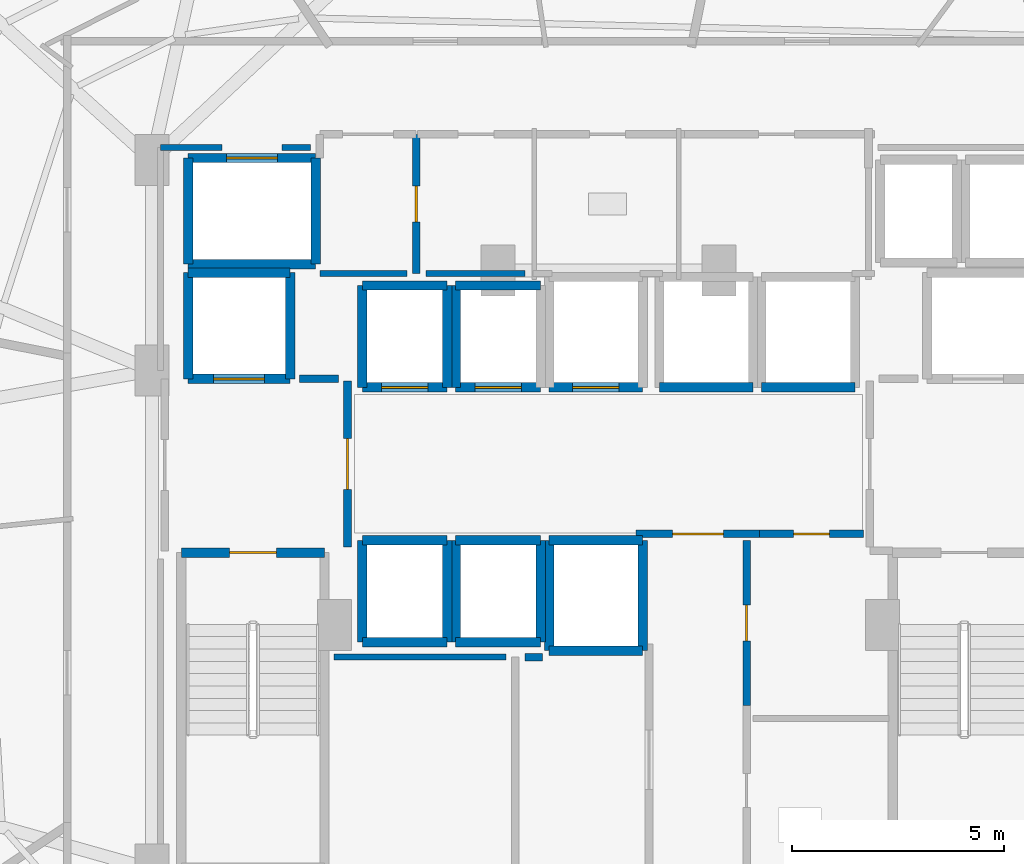
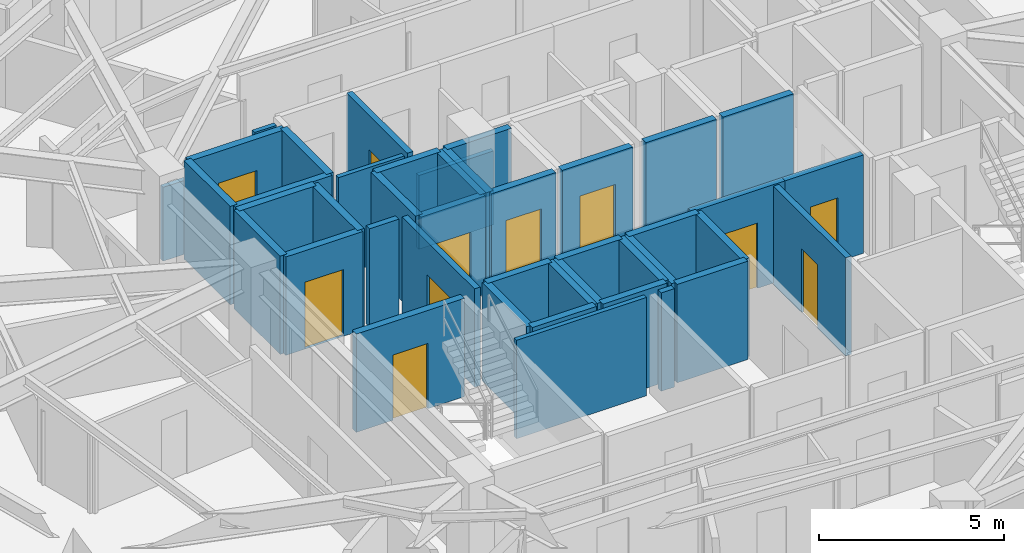
# One storey, part 24 of 30: 43 walls, 11 doors, 11 openings.
"""IFC4 building model written with IfcOpenShell, lengths in metres."""

from ifc_helpers import new_model, si_unit, direction, frame, frame_2d, origin, place, context, subcontext, project, spatial, rectangle, extrude, material, layer, layer_set, type_object, element, fill, save


model = new_model("IFC4")

# Units and contexts
model_context = context("Model", 3, precision=1e-05, world=origin(), true_north=direction((0.0, 1.0)))
body_context = subcontext(model_context, "Body", "Model", "MODEL_VIEW")
ifc_project = project(units=[si_unit("LENGTHUNIT", "METRE"), si_unit("AREAUNIT", "SQUARE_METRE"), si_unit("VOLUMEUNIT", "CUBIC_METRE"), si_unit("PLANEANGLEUNIT", "RADIAN"), si_unit("MASSUNIT", "GRAM", prefix="KILO")], contexts=[model_context])

# Site, building, storey
site_placement = place(None, origin())
site = spatial("IfcSite", under=ifc_project, at=site_placement, CompositionType="ELEMENT")
building_placement = place(site_placement, origin())
building = spatial("IfcBuilding", under=site, at=building_placement, Name="Vorneva Point Tower", CompositionType="ELEMENT")
storey_placement = place(building_placement, frame((0.0, 0.0, 78.800048828125)))
storey = spatial("IfcBuildingStorey", under=building, at=storey_placement, Name="L20", CompositionType="ELEMENT", Elevation=78.800048828125)

# Wall, opening, door
ifc_material_1 = material(Name="Concrete B60 (C50/60)", Category="concrete")
ifc_layer_1 = layer(ifc_material_1, 0.5)
ifc_layer_set_1 = layer_set([ifc_layer_1], Name="Concrete B60 (C50/60)")
wall_type_1 = type_object("IfcWallType", Name="WL-CORE-500", PredefinedType="SHEAR", material=ifc_layer_set_1)
wall_1_placement = place(storey_placement, frame((28.10009765625, 28.0, 0.0), z_axis=(0.0, 0.0, 1.0), x_axis=(1.0, 0.0, 0.0)))
wall_1 = element("IfcWall", 1, at=wall_1_placement, inside=storey, type_object=wall_type_1, Name="L20 Lift FFL1 Shaft Wall -Y", PredefinedType="SHEAR", context=body_context, shape_type="SweptSolid", body=[
    extrude(rectangle(XDim=2.39990234375, YDim=0.219970703125, at=frame_2d((1.199951171875, 0.0))), origin(), (0.0, 0.0, 1.0), 3.239990234375),
])
opening_1_placement = place(wall_1_placement, frame((0.60009765625, 0.0, 0.0)))
opening_1 = element("IfcOpeningElement", 2, at=opening_1_placement, cuts=wall_1, Name="Opening LD-02", PredefinedType="OPENING", context=body_context, shape_type="SweptSolid", body=[
    extrude(rectangle(XDim=1.199951171875, YDim=2.199951171875, at=frame_2d((0.60009765625, 1.10009765625))), frame((0.0, 0.125, 0.0), z_axis=(0.0, -1.0, 0.0), x_axis=(1.0, 0.0, 0.0)), (0.0, 0.0, 1.0), 0.249755859375),
])
ifc_material_2 = material(Name="Brushed stainless steel S304", Category="steel")
door_type_1 = type_object("IfcDoorType", Name="LD-FIRE-1200", OperationType="SLIDING_TO_LEFT", PredefinedType="DOOR", material=ifc_material_2)
door_1_placement = place(opening_1_placement, origin())
door_1 = element("IfcDoor", 3, at=door_1_placement, inside=storey, type_object=door_type_1, Name="L20 Lift FFL1 Sliding Landing Door", OperationType="SLIDING_TO_LEFT", OverallHeight=2.199951171875, OverallWidth=1.199951171875, PredefinedType="DOOR", context=body_context, shape_type="SweptSolid", body=[
    extrude(rectangle(XDim=1.199951171875, YDim=2.199951171875, at=frame_2d((0.60009765625, 1.10009765625))), frame((0.0, 0.02490234375, 0.0), z_axis=(0.0, -1.0, 0.0), x_axis=(1.0, 0.0, 0.0)), (0.0, 0.0, 1.0), 0.050048828125),
])
fill(opening_1, door_1)

# Walls
wall_2_placement = place(storey_placement, frame((30.5, 28.0, 0.0), z_axis=(0.0, 0.0, 1.0), x_axis=(0.0, 1.0, 0.0)))
element("IfcWall", 4, at=wall_2_placement, inside=storey, type_object=wall_type_1, Name="L20 Lift FFL1 Shaft Wall +X", PredefinedType="SHEAR", context=body_context, shape_type="SweptSolid", body=[
    extrude(rectangle(XDim=2.5, YDim=0.219970703125, at=frame_2d((1.25, 0.0))), origin(), (0.0, 0.0, 1.0), 3.239990234375),
])
wall_3_placement = place(storey_placement, frame((30.5, 30.5, 0.0), z_axis=(0.0, 0.0, 1.0), x_axis=(-1.0, 0.0, 0.0)))
element("IfcWall", 5, at=wall_3_placement, inside=storey, type_object=wall_type_1, Name="L20 Lift FFL1 Shaft Wall +Y", PredefinedType="SHEAR", context=body_context, shape_type="SweptSolid", body=[
    extrude(rectangle(XDim=2.39990234375, YDim=0.219970703125, at=frame_2d((1.199951171875, 0.0))), origin(), (0.0, 0.0, 1.0), 3.239990234375),
])
wall_4_placement = place(storey_placement, frame((28.10009765625, 30.5, 0.0), z_axis=(0.0, 0.0, 1.0), x_axis=(0.0, -1.0, 0.0)))
element("IfcWall", 6, at=wall_4_placement, inside=storey, type_object=wall_type_1, Name="L20 Lift FFL1 Shaft Wall -X", PredefinedType="SHEAR", context=body_context, shape_type="SweptSolid", body=[
    extrude(rectangle(XDim=2.5, YDim=0.219970703125, at=frame_2d((1.25, 0.0))), origin(), (0.0, 0.0, 1.0), 3.239990234375),
])
ifc_material_3 = material(Name="Fire-rated acoustic gypsum stud partition", Category="gypsum")
ifc_layer_2 = layer(ifc_material_3, 0.139892578125)
ifc_layer_set_2 = layer_set([ifc_layer_2], Name="Fire-rated acoustic gypsum stud partition")
wall_type_2 = type_object("IfcWallType", Name="WL-PART-140", PredefinedType="PARTITIONING", material=ifc_layer_set_2)
wall_5_placement = place(storey_placement, frame((31.199951171875, 30.47998046875, 0.0), z_axis=(0.0, 0.0, 1.0), x_axis=(1.0, 0.0, 0.0)))
element("IfcWall", 7, at=wall_5_placement, inside=storey, type_object=wall_type_2, Name="L20 Interior Closure Partition 096", PredefinedType="PARTITIONING", context=body_context, shape_type="SweptSolid", body=[
    extrude(rectangle(XDim=2.050048828125, YDim=0.139892578125, at=frame_2d((1.02490234375, 0.0))), origin(), (0.0, 0.0, 1.0), 3.239990234375),
])
wall_6_placement = place(storey_placement, frame((33.699951171875, 30.47998046875, 0.0), z_axis=(0.0, 0.0, 1.0), x_axis=(1.0, 0.0, 0.0)))
element("IfcWall", 8, at=wall_6_placement, inside=storey, type_object=wall_type_2, Name="L20 Interior Closure Partition 097", PredefinedType="PARTITIONING", context=body_context, shape_type="SweptSolid", body=[
    extrude(rectangle(XDim=2.330078125, YDim=0.139892578125, at=frame_2d((1.1650390625, 0.0))), origin(), (0.0, 0.0, 1.0), 2.431884765625),
])
wall_7_placement = place(storey_placement, frame((35.580078125, 21.449951171875, 0.0), z_axis=(0.0, 0.0, 1.0), x_axis=(-1.0, 0.0, 0.0)))
element("IfcWall", 9, at=wall_7_placement, inside=storey, type_object=wall_type_2, Name="L20 Interior Closure Partition 102", PredefinedType="PARTITIONING", context=body_context, shape_type="SweptSolid", body=[
    extrude(rectangle(XDim=4.050048828125, YDim=0.139892578125, at=frame_2d((2.02490234375, 0.0))), origin(), (0.0, 0.0, 1.0), 3.239990234375),
])
wall_8_placement = place(storey_placement, frame((27.449951171875, 33.449951171875, 0.0), z_axis=(0.0, 0.0, 1.0), x_axis=(1.0, 0.0, 0.0)))
element("IfcWall", 10, at=wall_8_placement, inside=storey, type_object=wall_type_2, Name="L20 Interior Closure Partition 111", PredefinedType="PARTITIONING", context=body_context, shape_type="SweptSolid", body=[
    extrude(rectangle(XDim=1.444091796875, YDim=0.139892578125, at=frame_2d((0.72216796875, 0.0))), origin(), (0.0, 0.0, 1.0), 2.431884765625),
])
wall_9_placement = place(storey_placement, frame((30.305908203125, 33.449951171875, 0.0), z_axis=(0.0, 0.0, 1.0), x_axis=(1.0, 0.0, 0.0)))
element("IfcWall", 11, at=wall_9_placement, inside=storey, type_object=wall_type_2, Name="L20 Interior Closure Partition 112", PredefinedType="PARTITIONING", context=body_context, shape_type="SweptSolid", body=[
    extrude(rectangle(XDim=0.674072265625, YDim=0.139892578125, at=frame_2d((0.3369140625, 0.0))), origin(), (0.0, 0.0, 1.0), 3.239990234375),
])

# Wall, opening, door
ifc_material_4 = material(Name="Autoclaved aerated concrete blockwork", Category="masonry")
ifc_layer_3 = layer(ifc_material_4, 0.179931640625)
ifc_layer_set_3 = layer_set([ifc_layer_3], Name="Autoclaved aerated concrete blockwork")
wall_type_3 = type_object("IfcWallType", Name="WL-PART-180", PredefinedType="PARTITIONING", material=ifc_layer_set_3)
wall_10_placement = place(storey_placement, frame((31.85009765625, 24.044921875, 0.0), z_axis=(0.0, 0.0, 1.0), x_axis=(0.0, 1.0, 0.0)))
wall_10 = element("IfcWall", 12, at=wall_10_placement, inside=storey, type_object=wall_type_3, Name="L20 Interior Partition 001", PredefinedType="PARTITIONING", context=body_context, shape_type="SweptSolid", body=[
    extrude(rectangle(XDim=3.91015625, YDim=0.179931640625, at=frame_2d((1.955078125, 0.0))), origin(), (0.0, 0.0, 1.0), 3.239990234375),
])
opening_2_placement = place(wall_10_placement, frame((1.35498046875, 0.0, 0.0)))
opening_2 = element("IfcOpeningElement", 13, at=opening_2_placement, cuts=wall_10, Name="Opening FD-02", PredefinedType="OPENING", context=body_context, shape_type="SweptSolid", body=[
    extrude(rectangle(XDim=1.199951171875, YDim=2.14990234375, at=frame_2d((0.60009765625, 1.074951171875))), frame((0.0, 0.10498046875, 0.0), z_axis=(0.0, -1.0, 0.0), x_axis=(1.0, 0.0, 0.0)), (0.0, 0.0, 1.0), 0.209716796875),
])
ifc_material_5 = material(Name="Fire-rated powder-coated steel", Category="steel")
door_type_2 = type_object("IfcDoorType", Name="DR-FFL-1200", OperationType="NOTDEFINED", PredefinedType="DOOR", material=ifc_material_5)
door_2_placement = place(opening_2_placement, origin())
door_2 = element("IfcDoor", 14, at=door_2_placement, inside=storey, type_object=door_type_2, Name="L20 Door West Firefighting Lobby / Central Lift Lobby", OperationType="SINGLE_SWING_LEFT", OverallHeight=2.14990234375, OverallWidth=1.199951171875, PredefinedType="DOOR", context=body_context, shape_type="SweptSolid", body=[
    extrude(rectangle(XDim=1.199951171875, YDim=2.14990234375, at=frame_2d((0.60009765625, 1.074951171875))), frame((0.0, 0.02490234375, 0.0), z_axis=(0.0, -1.0, 0.0), x_axis=(1.0, 0.0, 0.0)), (0.0, 0.0, 1.0), 0.050048828125),
])
fill(opening_2, door_2)

wall_11_placement = place(storey_placement, frame((33.469970703125, 30.47998046875, 0.0), z_axis=(0.0, 0.0, 1.0), x_axis=(0.0, 1.0, 0.0)))
wall_11 = element("IfcWall", 15, at=wall_11_placement, inside=storey, type_object=wall_type_3, Name="L20 Interior Partition 006", PredefinedType="PARTITIONING", context=body_context, shape_type="SweptSolid", body=[
    extrude(rectangle(XDim=3.280029296875, YDim=0.179931640625, at=frame_2d((1.64013671875, 0.0))), origin(), (0.0, 0.0, 1.0), 3.239990234375),
])
opening_3_placement = place(wall_11_placement, frame((1.215087890625, 0.0, 0.0)))
opening_3 = element("IfcOpeningElement", 16, at=opening_3_placement, cuts=wall_11, Name="Opening ID-02", PredefinedType="OPENING", context=body_context, shape_type="SweptSolid", body=[
    extrude(rectangle(XDim=0.85009765625, YDim=2.10009765625, at=frame_2d((0.425048828125, 1.050048828125))), frame((0.0, 0.10498046875, 0.0), z_axis=(0.0, -1.0, 0.0), x_axis=(1.0, 0.0, 0.0)), (0.0, 0.0, 1.0), 0.209716796875),
])
ifc_material_6 = material(Name="Engineered oak fire-rated door leaf", Category="wood")
door_type_3 = type_object("IfcDoorType", Name="DR-BATH-850", OperationType="NOTDEFINED", PredefinedType="DOOR", material=ifc_material_6)
door_3_placement = place(opening_3_placement, origin())
door_3 = element("IfcDoor", 17, at=door_3_placement, inside=storey, type_object=door_type_3, Name="L20 Door Service Lift Lobby / Core Supply Store", OperationType="SINGLE_SWING_LEFT", OverallHeight=2.10009765625, OverallWidth=0.85009765625, PredefinedType="DOOR", context=body_context, shape_type="SweptSolid", body=[
    extrude(rectangle(XDim=0.85009765625, YDim=2.10009765625, at=frame_2d((0.425048828125, 1.050048828125))), frame((0.0, 0.02490234375, 0.0), z_axis=(0.0, -1.0, 0.0), x_axis=(1.0, 0.0, 0.0)), (0.0, 0.0, 1.0), 0.050048828125),
])
fill(opening_3, door_3)

wall_12_placement = place(storey_placement, frame((38.64501953125, 24.35009765625, 0.0), z_axis=(0.0, 0.0, 1.0), x_axis=(1.0, 0.0, 0.0)))
wall_12 = element("IfcWall", 18, at=wall_12_placement, inside=storey, type_object=wall_type_3, Name="L20 Interior Partition 009", PredefinedType="PARTITIONING", context=body_context, shape_type="SweptSolid", body=[
    extrude(rectangle(XDim=2.909912109375, YDim=0.179931640625, at=frame_2d((1.455078125, 0.0))), origin(), (0.0, 0.0, 1.0), 3.239990234375),
])
opening_4_placement = place(wall_12_placement, frame((0.85498046875, 0.0, 0.0)))
opening_4 = element("IfcOpeningElement", 19, at=opening_4_placement, cuts=wall_12, Name="Opening FD-02", PredefinedType="OPENING", context=body_context, shape_type="SweptSolid", body=[
    extrude(rectangle(XDim=1.199951171875, YDim=2.14990234375, at=frame_2d((0.60009765625, 1.074951171875))), frame((0.0, 0.10498046875, 0.0), z_axis=(0.0, -1.0, 0.0), x_axis=(1.0, 0.0, 0.0)), (0.0, 0.0, 1.0), 0.209716796875),
])
door_4_placement = place(opening_4_placement, origin())
door_4 = element("IfcDoor", 20, at=door_4_placement, inside=storey, type_object=door_type_2, Name="L20 Door Central Lift Lobby / Core Service Lobby", OperationType="SINGLE_SWING_LEFT", OverallHeight=2.14990234375, OverallWidth=1.199951171875, PredefinedType="DOOR", context=body_context, shape_type="SweptSolid", body=[
    extrude(rectangle(XDim=1.199951171875, YDim=2.14990234375, at=frame_2d((0.60009765625, 1.074951171875))), frame((0.0, 0.02490234375, 0.0), z_axis=(0.0, -1.0, 0.0), x_axis=(1.0, 0.0, 0.0)), (0.0, 0.0, 1.0), 0.050048828125),
])
fill(opening_4, door_4)

wall_13_placement = place(storey_placement, frame((41.554931640625, 24.35009765625, 0.0), z_axis=(0.0, 0.0, 1.0), x_axis=(1.0, 0.0, 0.0)))
wall_13 = element("IfcWall", 21, at=wall_13_placement, inside=storey, type_object=wall_type_3, Name="L20 Interior Partition 010", PredefinedType="PARTITIONING", context=body_context, shape_type="SweptSolid", body=[
    extrude(rectangle(XDim=2.445068359375, YDim=0.179931640625, at=frame_2d((1.22265625, 0.0))), origin(), (0.0, 0.0, 1.0), 3.239990234375),
])
opening_5_placement = place(wall_13_placement, frame((0.797607421875, 0.0, 0.0)))
opening_5 = element("IfcOpeningElement", 22, at=opening_5_placement, cuts=wall_13, Name="Opening ID-02", PredefinedType="OPENING", context=body_context, shape_type="SweptSolid", body=[
    extrude(rectangle(XDim=0.85009765625, YDim=2.10009765625, at=frame_2d((0.425048828125, 1.050048828125))), frame((0.0, 0.10498046875, 0.0), z_axis=(0.0, -1.0, 0.0), x_axis=(1.0, 0.0, 0.0)), (0.0, 0.0, 1.0), 0.209716796875),
])
door_5_placement = place(opening_5_placement, origin())
door_5 = element("IfcDoor", 23, at=door_5_placement, inside=storey, type_object=door_type_3, Name="L20 Door Central Lift Lobby / Valet and Parcel Room", OperationType="SINGLE_SWING_RIGHT", OverallHeight=2.10009765625, OverallWidth=0.85009765625, PredefinedType="DOOR", context=body_context, shape_type="SweptSolid", body=[
    extrude(rectangle(XDim=0.85009765625, YDim=2.10009765625, at=frame_2d((0.425048828125, 1.050048828125))), frame((0.0, 0.02490234375, 0.0), z_axis=(0.0, -1.0, 0.0), x_axis=(1.0, 0.0, 0.0)), (0.0, 0.0, 1.0), 0.050048828125),
])
fill(opening_5, door_5)

wall_14_placement = place(storey_placement, frame((41.25, 20.304931640625, 0.0), z_axis=(0.0, 0.0, 1.0), x_axis=(0.0, 1.0, 0.0)))
wall_14 = element("IfcWall", 24, at=wall_14_placement, inside=storey, type_object=wall_type_3, Name="L20 Interior Partition 012", PredefinedType="PARTITIONING", context=body_context, shape_type="SweptSolid", body=[
    extrude(rectangle(XDim=3.89501953125, YDim=0.179931640625, at=frame_2d((1.947509765625, 0.0))), origin(), (0.0, 0.0, 1.0), 3.239990234375),
])
opening_6_placement = place(wall_14_placement, frame((1.5224609375, 0.0, 0.0)))
opening_6 = element("IfcOpeningElement", 25, at=opening_6_placement, cuts=wall_14, Name="Opening ID-02", PredefinedType="OPENING", context=body_context, shape_type="SweptSolid", body=[
    extrude(rectangle(XDim=0.85009765625, YDim=2.10009765625, at=frame_2d((0.425048828125, 1.050048828125))), frame((0.0, 0.10498046875, 0.0), z_axis=(0.0, -1.0, 0.0), x_axis=(1.0, 0.0, 0.0)), (0.0, 0.0, 1.0), 0.209716796875),
])
door_6_placement = place(opening_6_placement, origin())
door_6 = element("IfcDoor", 26, at=door_6_placement, inside=storey, type_object=door_type_3, Name="L20 Door Core Service Lobby / Valet and Parcel Room", OperationType="SINGLE_SWING_RIGHT", OverallHeight=2.10009765625, OverallWidth=0.85009765625, PredefinedType="DOOR", context=body_context, shape_type="SweptSolid", body=[
    extrude(rectangle(XDim=0.85009765625, YDim=2.10009765625, at=frame_2d((0.425048828125, 1.050048828125))), frame((0.0, 0.02490234375, 0.0), z_axis=(0.0, -1.0, 0.0), x_axis=(1.0, 0.0, 0.0)), (0.0, 0.0, 1.0), 0.050048828125),
])
fill(opening_6, door_6)

# Walls
wall_15_placement = place(storey_placement, frame((31.635009765625, 28.0, 0.0), z_axis=(0.0, 0.0, 1.0), x_axis=(-1.0, 0.0, 0.0)))
element("IfcWall", 27, at=wall_15_placement, inside=storey, type_object=wall_type_3, Name="L20 Interior Closure Partition 094", PredefinedType="PARTITIONING", context=body_context, shape_type="SweptSolid", body=[
    extrude(rectangle(XDim=0.9150390625, YDim=0.179931640625, at=frame_2d((0.45751953125, 0.0))), origin(), (0.0, 0.0, 1.0), 3.239990234375),
])
wall_16_placement = place(storey_placement, frame((36.43896484375, 21.449951171875, 0.0), z_axis=(0.0, 0.0, 1.0), x_axis=(-1.0, 0.0, 0.0)))
element("IfcWall", 28, at=wall_16_placement, inside=storey, type_object=wall_type_3, Name="L20 Interior Closure Partition 103", PredefinedType="PARTITIONING", context=body_context, shape_type="SweptSolid", body=[
    extrude(rectangle(XDim=0.408935546875, YDim=0.179931640625, at=frame_2d((0.20458984375, 0.0))), origin(), (0.0, 0.0, 1.0), 3.239990234375),
])

# Wall, opening, door
ifc_material_7 = material(Name="Concrete B50 (C40/50)", Category="concrete")
ifc_layer_4 = layer(ifc_material_7, 0.219970703125)
ifc_layer_set_4 = layer_set([ifc_layer_4], Name="Concrete B50 (C40/50)")
wall_type_4 = type_object("IfcWallType", Name="WL-SHFT-220", PredefinedType="SOLIDWALL", material=ifc_layer_set_4)
wall_17_placement = place(storey_placement, frame((27.93994140625, 23.909912109375, 0.0), z_axis=(0.0, 0.0, 1.0), x_axis=(1.0, 0.0, 0.0)))
wall_17 = element("IfcWall", 29, at=wall_17_placement, inside=storey, type_object=wall_type_4, Name="L20 Exit Stair ST1 Shaft Wall near", PredefinedType="SOLIDWALL", context=body_context, shape_type="SweptSolid", body=[
    extrude(rectangle(XDim=3.3701171875, YDim=0.219970703125, at=frame_2d((1.68505859375, 0.0))), origin(), (0.0, 0.0, 1.0), 3.239990234375),
])
opening_7_placement = place(wall_17_placement, frame((1.135009765625, 0.0, 0.0)))
opening_7 = element("IfcOpeningElement", 30, at=opening_7_placement, cuts=wall_17, Name="Opening FD-01", PredefinedType="OPENING", context=body_context, shape_type="SweptSolid", body=[
    extrude(rectangle(XDim=1.10009765625, YDim=2.14990234375, at=frame_2d((0.550048828125, 1.074951171875))), frame((0.0, 0.125, 0.0), z_axis=(0.0, -1.0, 0.0), x_axis=(1.0, 0.0, 0.0)), (0.0, 0.0, 1.0), 0.249755859375),
])
door_type_4 = type_object("IfcDoorType", Name="DR-STAIR-1100", OperationType="NOTDEFINED", PredefinedType="DOOR", material=ifc_material_5)
door_7_placement = place(opening_7_placement, origin())
door_7 = element("IfcDoor", 31, at=door_7_placement, inside=storey, type_object=door_type_4, Name="L20 Exit Stair ST1 Fire Door", OperationType="SINGLE_SWING_RIGHT", OverallHeight=2.14990234375, OverallWidth=1.10009765625, PredefinedType="DOOR", context=body_context, shape_type="SweptSolid", body=[
    extrude(rectangle(XDim=1.10009765625, YDim=2.14990234375, at=frame_2d((0.550048828125, 1.074951171875))), frame((0.0, 0.02490234375, 0.0), z_axis=(0.0, -1.0, 0.0), x_axis=(1.0, 0.0, 0.0)), (0.0, 0.0, 1.0), 0.050048828125),
])
fill(opening_7, door_7)

wall_18_placement = place(storey_placement, frame((32.199951171875, 27.800048828125, 0.0), z_axis=(0.0, 0.0, 1.0), x_axis=(1.0, 0.0, 0.0)))
wall_18 = element("IfcWall", 32, at=wall_18_placement, inside=storey, type_object=wall_type_4, Name="L20 Lift PL1 Shaft Wall -Y", PredefinedType="SOLIDWALL", context=body_context, shape_type="SweptSolid", body=[
    extrude(rectangle(XDim=2.0, YDim=0.219970703125, at=frame_2d((1.0, 0.0))), origin(), (0.0, 0.0, 1.0), 3.239990234375),
])
opening_8_placement = place(wall_18_placement, frame((0.449951171875, 0.0, 0.0)))
opening_8 = element("IfcOpeningElement", 33, at=opening_8_placement, cuts=wall_18, Name="Opening LD-01", PredefinedType="OPENING", context=body_context, shape_type="SweptSolid", body=[
    extrude(rectangle(XDim=1.10009765625, YDim=2.199951171875, at=frame_2d((0.550048828125, 1.10009765625))), frame((0.0, 0.125, 0.0), z_axis=(0.0, -1.0, 0.0), x_axis=(1.0, 0.0, 0.0)), (0.0, 0.0, 1.0), 0.249755859375),
])
door_type_5 = type_object("IfcDoorType", Name="LD-PASS-1100", OperationType="SLIDING_TO_LEFT", PredefinedType="DOOR", material=ifc_material_2)
door_8_placement = place(opening_8_placement, origin())
door_8 = element("IfcDoor", 34, at=door_8_placement, inside=storey, type_object=door_type_5, Name="L20 Lift PL1 Sliding Landing Door", OperationType="SLIDING_TO_LEFT", OverallHeight=2.199951171875, OverallWidth=1.10009765625, PredefinedType="DOOR", context=body_context, shape_type="SweptSolid", body=[
    extrude(rectangle(XDim=1.10009765625, YDim=2.199951171875, at=frame_2d((0.550048828125, 1.10009765625))), frame((0.0, 0.02490234375, 0.0), z_axis=(0.0, -1.0, 0.0), x_axis=(1.0, 0.0, 0.0)), (0.0, 0.0, 1.0), 0.050048828125),
])
fill(opening_8, door_8)

# Walls
wall_19_placement = place(storey_placement, frame((34.199951171875, 27.800048828125, 0.0), z_axis=(0.0, 0.0, 1.0), x_axis=(0.0, 1.0, 0.0)))
element("IfcWall", 35, at=wall_19_placement, inside=storey, type_object=wall_type_4, Name="L20 Lift PL1 Shaft Wall +X", PredefinedType="SOLIDWALL", context=body_context, shape_type="SweptSolid", body=[
    extrude(rectangle(XDim=2.39990234375, YDim=0.219970703125, at=frame_2d((1.199951171875, 0.0))), origin(), (0.0, 0.0, 1.0), 3.239990234375),
])
wall_20_placement = place(storey_placement, frame((34.199951171875, 30.199951171875, 0.0), z_axis=(0.0, 0.0, 1.0), x_axis=(-1.0, 0.0, 0.0)))
element("IfcWall", 36, at=wall_20_placement, inside=storey, type_object=wall_type_4, Name="L20 Lift PL1 Shaft Wall +Y", PredefinedType="SOLIDWALL", context=body_context, shape_type="SweptSolid", body=[
    extrude(rectangle(XDim=2.0, YDim=0.219970703125, at=frame_2d((1.0, 0.0))), origin(), (0.0, 0.0, 1.0), 3.239990234375),
])
wall_21_placement = place(storey_placement, frame((32.199951171875, 30.199951171875, 0.0), z_axis=(0.0, 0.0, 1.0), x_axis=(0.0, -1.0, 0.0)))
element("IfcWall", 37, at=wall_21_placement, inside=storey, type_object=wall_type_4, Name="L20 Lift PL1 Shaft Wall -X", PredefinedType="SOLIDWALL", context=body_context, shape_type="SweptSolid", body=[
    extrude(rectangle(XDim=2.39990234375, YDim=0.219970703125, at=frame_2d((1.199951171875, 0.0))), origin(), (0.0, 0.0, 1.0), 3.239990234375),
])

# Wall, opening, door
wall_22_placement = place(storey_placement, frame((34.39990234375, 27.800048828125, 0.0), z_axis=(0.0, 0.0, 1.0), x_axis=(1.0, 0.0, 0.0)))
wall_22 = element("IfcWall", 38, at=wall_22_placement, inside=storey, type_object=wall_type_4, Name="L20 Lift PL2 Shaft Wall -Y", PredefinedType="SOLIDWALL", context=body_context, shape_type="SweptSolid", body=[
    extrude(rectangle(XDim=2.0, YDim=0.219970703125, at=frame_2d((1.0, 0.0))), origin(), (0.0, 0.0, 1.0), 3.239990234375),
])
opening_9_placement = place(wall_22_placement, frame((0.449951171875, 0.0, 0.0)))
opening_9 = element("IfcOpeningElement", 39, at=opening_9_placement, cuts=wall_22, Name="Opening LD-01", PredefinedType="OPENING", context=body_context, shape_type="SweptSolid", body=[
    extrude(rectangle(XDim=1.10009765625, YDim=2.199951171875, at=frame_2d((0.550048828125, 1.10009765625))), frame((0.0, 0.125, 0.0), z_axis=(0.0, -1.0, 0.0), x_axis=(1.0, 0.0, 0.0)), (0.0, 0.0, 1.0), 0.249755859375),
])
door_9_placement = place(opening_9_placement, origin())
door_9 = element("IfcDoor", 40, at=door_9_placement, inside=storey, type_object=door_type_5, Name="L20 Lift PL2 Sliding Landing Door", OperationType="SLIDING_TO_LEFT", OverallHeight=2.199951171875, OverallWidth=1.10009765625, PredefinedType="DOOR", context=body_context, shape_type="SweptSolid", body=[
    extrude(rectangle(XDim=1.10009765625, YDim=2.199951171875, at=frame_2d((0.550048828125, 1.10009765625))), frame((0.0, 0.02490234375, 0.0), z_axis=(0.0, -1.0, 0.0), x_axis=(1.0, 0.0, 0.0)), (0.0, 0.0, 1.0), 0.050048828125),
])
fill(opening_9, door_9)

# Walls
wall_23_placement = place(storey_placement, frame((36.39990234375, 30.199951171875, 0.0), z_axis=(0.0, 0.0, 1.0), x_axis=(-1.0, 0.0, 0.0)))
element("IfcWall", 41, at=wall_23_placement, inside=storey, type_object=wall_type_4, Name="L20 Lift PL2 Shaft Wall +Y", PredefinedType="SOLIDWALL", context=body_context, shape_type="SweptSolid", body=[
    extrude(rectangle(XDim=2.0, YDim=0.219970703125, at=frame_2d((1.0, 0.0))), origin(), (0.0, 0.0, 1.0), 3.239990234375),
])
wall_24_placement = place(storey_placement, frame((34.39990234375, 30.199951171875, 0.0), z_axis=(0.0, 0.0, 1.0), x_axis=(0.0, -1.0, 0.0)))
element("IfcWall", 42, at=wall_24_placement, inside=storey, type_object=wall_type_4, Name="L20 Lift PL2 Shaft Wall -X", PredefinedType="SOLIDWALL", context=body_context, shape_type="SweptSolid", body=[
    extrude(rectangle(XDim=2.39990234375, YDim=0.219970703125, at=frame_2d((1.199951171875, 0.0))), origin(), (0.0, 0.0, 1.0), 3.239990234375),
])

# Wall, opening, door
wall_25_placement = place(storey_placement, frame((36.60009765625, 27.800048828125, 0.0), z_axis=(0.0, 0.0, 1.0), x_axis=(1.0, 0.0, 0.0)))
wall_25 = element("IfcWall", 43, at=wall_25_placement, inside=storey, type_object=wall_type_4, Name="L20 Lift PL3 Shaft Wall -Y", PredefinedType="SOLIDWALL", context=body_context, shape_type="SweptSolid", body=[
    extrude(rectangle(XDim=2.199951171875, YDim=0.219970703125, at=frame_2d((1.10009765625, 0.0))), origin(), (0.0, 0.0, 1.0), 3.239990234375),
])
opening_10_placement = place(wall_25_placement, frame((0.550048828125, 0.0, 0.0)))
opening_10 = element("IfcOpeningElement", 44, at=opening_10_placement, cuts=wall_25, Name="Opening LD-01", PredefinedType="OPENING", context=body_context, shape_type="SweptSolid", body=[
    extrude(rectangle(XDim=1.10009765625, YDim=2.199951171875, at=frame_2d((0.550048828125, 1.10009765625))), frame((0.0, 0.125, 0.0), z_axis=(0.0, -1.0, 0.0), x_axis=(1.0, 0.0, 0.0)), (0.0, 0.0, 1.0), 0.249755859375),
])
door_10_placement = place(opening_10_placement, origin())
door_10 = element("IfcDoor", 45, at=door_10_placement, inside=storey, type_object=door_type_5, Name="L20 Lift PL3 Sliding Landing Door", OperationType="SLIDING_TO_LEFT", OverallHeight=2.199951171875, OverallWidth=1.10009765625, PredefinedType="DOOR", context=body_context, shape_type="SweptSolid", body=[
    extrude(rectangle(XDim=1.10009765625, YDim=2.199951171875, at=frame_2d((0.550048828125, 1.10009765625))), frame((0.0, 0.02490234375, 0.0), z_axis=(0.0, -1.0, 0.0), x_axis=(1.0, 0.0, 0.0)), (0.0, 0.0, 1.0), 0.050048828125),
])
fill(opening_10, door_10)

# Walls
wall_26_placement = place(storey_placement, frame((32.199951171875, 21.800048828125, 0.0), z_axis=(0.0, 0.0, 1.0), x_axis=(1.0, 0.0, 0.0)))
element("IfcWall", 46, at=wall_26_placement, inside=storey, type_object=wall_type_4, Name="L20 Lift PL4 Shaft Wall -Y", PredefinedType="SOLIDWALL", context=body_context, shape_type="SweptSolid", body=[
    extrude(rectangle(XDim=2.0, YDim=0.219970703125, at=frame_2d((1.0, 0.0))), origin(), (0.0, 0.0, 1.0), 3.239990234375),
])
wall_27_placement = place(storey_placement, frame((34.199951171875, 21.800048828125, 0.0), z_axis=(0.0, 0.0, 1.0), x_axis=(0.0, 1.0, 0.0)))
element("IfcWall", 47, at=wall_27_placement, inside=storey, type_object=wall_type_4, Name="L20 Lift PL4 Shaft Wall +X", PredefinedType="SOLIDWALL", context=body_context, shape_type="SweptSolid", body=[
    extrude(rectangle(XDim=2.39990234375, YDim=0.219970703125, at=frame_2d((1.199951171875, 0.0))), origin(), (0.0, 0.0, 1.0), 3.239990234375),
])
wall_28_placement = place(storey_placement, frame((34.199951171875, 24.199951171875, 0.0), z_axis=(0.0, 0.0, 1.0), x_axis=(-1.0, 0.0, 0.0)))
element("IfcWall", 48, at=wall_28_placement, inside=storey, type_object=wall_type_4, Name="L20 Lift PL4 Shaft Wall +Y", PredefinedType="SOLIDWALL", context=body_context, shape_type="SweptSolid", body=[
    extrude(rectangle(XDim=2.0, YDim=0.219970703125, at=frame_2d((1.0, 0.0))), origin(), (0.0, 0.0, 1.0), 3.239990234375),
])
wall_29_placement = place(storey_placement, frame((32.199951171875, 24.199951171875, 0.0), z_axis=(0.0, 0.0, 1.0), x_axis=(0.0, -1.0, 0.0)))
element("IfcWall", 49, at=wall_29_placement, inside=storey, type_object=wall_type_4, Name="L20 Lift PL4 Shaft Wall -X", PredefinedType="SOLIDWALL", context=body_context, shape_type="SweptSolid", body=[
    extrude(rectangle(XDim=2.39990234375, YDim=0.219970703125, at=frame_2d((1.199951171875, 0.0))), origin(), (0.0, 0.0, 1.0), 3.239990234375),
])
wall_30_placement = place(storey_placement, frame((34.39990234375, 21.800048828125, 0.0), z_axis=(0.0, 0.0, 1.0), x_axis=(1.0, 0.0, 0.0)))
element("IfcWall", 50, at=wall_30_placement, inside=storey, type_object=wall_type_4, Name="L20 Lift PL5 Shaft Wall -Y", PredefinedType="SOLIDWALL", context=body_context, shape_type="SweptSolid", body=[
    extrude(rectangle(XDim=2.0, YDim=0.219970703125, at=frame_2d((1.0, 0.0))), origin(), (0.0, 0.0, 1.0), 3.239990234375),
])
wall_31_placement = place(storey_placement, frame((36.39990234375, 21.800048828125, 0.0), z_axis=(0.0, 0.0, 1.0), x_axis=(0.0, 1.0, 0.0)))
element("IfcWall", 51, at=wall_31_placement, inside=storey, type_object=wall_type_4, Name="L20 Lift PL5 Shaft Wall +X", PredefinedType="SOLIDWALL", context=body_context, shape_type="SweptSolid", body=[
    extrude(rectangle(XDim=2.39990234375, YDim=0.219970703125, at=frame_2d((1.199951171875, 0.0))), origin(), (0.0, 0.0, 1.0), 3.239990234375),
])
wall_32_placement = place(storey_placement, frame((36.39990234375, 24.199951171875, 0.0), z_axis=(0.0, 0.0, 1.0), x_axis=(-1.0, 0.0, 0.0)))
element("IfcWall", 52, at=wall_32_placement, inside=storey, type_object=wall_type_4, Name="L20 Lift PL5 Shaft Wall +Y", PredefinedType="SOLIDWALL", context=body_context, shape_type="SweptSolid", body=[
    extrude(rectangle(XDim=2.0, YDim=0.219970703125, at=frame_2d((1.0, 0.0))), origin(), (0.0, 0.0, 1.0), 3.239990234375),
])
wall_33_placement = place(storey_placement, frame((34.39990234375, 24.199951171875, 0.0), z_axis=(0.0, 0.0, 1.0), x_axis=(0.0, -1.0, 0.0)))
element("IfcWall", 53, at=wall_33_placement, inside=storey, type_object=wall_type_4, Name="L20 Lift PL5 Shaft Wall -X", PredefinedType="SOLIDWALL", context=body_context, shape_type="SweptSolid", body=[
    extrude(rectangle(XDim=2.39990234375, YDim=0.219970703125, at=frame_2d((1.199951171875, 0.0))), origin(), (0.0, 0.0, 1.0), 3.239990234375),
])
wall_34_placement = place(storey_placement, frame((36.60009765625, 21.60009765625, 0.0), z_axis=(0.0, 0.0, 1.0), x_axis=(1.0, 0.0, 0.0)))
element("IfcWall", 54, at=wall_34_placement, inside=storey, type_object=wall_type_4, Name="L20 Lift PL6 Shaft Wall -Y", PredefinedType="SOLIDWALL", context=body_context, shape_type="SweptSolid", body=[
    extrude(rectangle(XDim=2.199951171875, YDim=0.219970703125, at=frame_2d((1.10009765625, 0.0))), origin(), (0.0, 0.0, 1.0), 3.239990234375),
])
wall_35_placement = place(storey_placement, frame((38.800048828125, 21.60009765625, 0.0), z_axis=(0.0, 0.0, 1.0), x_axis=(0.0, 1.0, 0.0)))
element("IfcWall", 55, at=wall_35_placement, inside=storey, type_object=wall_type_4, Name="L20 Lift PL6 Shaft Wall +X", PredefinedType="SOLIDWALL", context=body_context, shape_type="SweptSolid", body=[
    extrude(rectangle(XDim=2.599853515625, YDim=0.219970703125, at=frame_2d((1.2998046875, 0.0))), origin(), (0.0, 0.0, 1.0), 3.239990234375),
])
wall_36_placement = place(storey_placement, frame((38.800048828125, 24.199951171875, 0.0), z_axis=(0.0, 0.0, 1.0), x_axis=(-1.0, 0.0, 0.0)))
element("IfcWall", 56, at=wall_36_placement, inside=storey, type_object=wall_type_4, Name="L20 Lift PL6 Shaft Wall +Y", PredefinedType="SOLIDWALL", context=body_context, shape_type="SweptSolid", body=[
    extrude(rectangle(XDim=2.199951171875, YDim=0.219970703125, at=frame_2d((1.10009765625, 0.0))), origin(), (0.0, 0.0, 1.0), 3.239990234375),
])
wall_37_placement = place(storey_placement, frame((36.60009765625, 24.199951171875, 0.0), z_axis=(0.0, 0.0, 1.0), x_axis=(0.0, -1.0, 0.0)))
element("IfcWall", 57, at=wall_37_placement, inside=storey, type_object=wall_type_4, Name="L20 Lift PL6 Shaft Wall -X", PredefinedType="SOLIDWALL", context=body_context, shape_type="SweptSolid", body=[
    extrude(rectangle(XDim=2.599853515625, YDim=0.219970703125, at=frame_2d((1.2998046875, 0.0))), origin(), (0.0, 0.0, 1.0), 3.239990234375),
])
for number, where, z_axis, x_axis, name in (
    (58, (39.199951171875, 27.800048828125, 0.0), (0.0, 0.0, 1.0), (1.0, 0.0, 0.0), "L20 Lift PL7 Shaft Wall -Y"),
    (59, (41.60009765625, 27.800048828125, 0.0), (0.0, 0.0, 1.0), (1.0, 0.0, 0.0), "L20 Lift PL8 Shaft Wall -Y"),
):
    element("IfcWall", number, at=place(storey_placement, frame(where, z_axis=z_axis, x_axis=x_axis)), inside=storey, type_object=wall_type_4, Name=name, PredefinedType="SOLIDWALL", context=body_context, shape_type="SweptSolid", body=[
        extrude(rectangle(XDim=2.199951171875, YDim=0.219970703125, at=frame_2d((1.10009765625, 0.0))), origin(), (0.0, 0.0, 1.0), 3.239990234375),
    ])
wall_38_placement = place(storey_placement, frame((28.10009765625, 30.699951171875, 0.0), z_axis=(0.0, 0.0, 1.0), x_axis=(1.0, 0.0, 0.0)))
element("IfcWall", 60, at=wall_38_placement, inside=storey, type_object=wall_type_4, Name="L20 Lift SVL1 Shaft Wall -Y", PredefinedType="SOLIDWALL", context=body_context, shape_type="SweptSolid", body=[
    extrude(rectangle(XDim=3.0, YDim=0.219970703125, at=frame_2d((1.5, 0.0))), origin(), (0.0, 0.0, 1.0), 3.239990234375),
])
wall_39_placement = place(storey_placement, frame((31.10009765625, 30.699951171875, 0.0), z_axis=(0.0, 0.0, 1.0), x_axis=(0.0, 1.0, 0.0)))
element("IfcWall", 61, at=wall_39_placement, inside=storey, type_object=wall_type_4, Name="L20 Lift SVL1 Shaft Wall +X", PredefinedType="SOLIDWALL", context=body_context, shape_type="SweptSolid", body=[
    extrude(rectangle(XDim=2.5, YDim=0.219970703125, at=frame_2d((1.25, 0.0))), origin(), (0.0, 0.0, 1.0), 3.239990234375),
])

# Wall, opening, door
wall_40_placement = place(storey_placement, frame((31.10009765625, 33.199951171875, 0.0), z_axis=(0.0, 0.0, 1.0), x_axis=(-1.0, 0.0, 0.0)))
wall_40 = element("IfcWall", 62, at=wall_40_placement, inside=storey, type_object=wall_type_4, Name="L20 Lift SVL1 Shaft Wall +Y", PredefinedType="SOLIDWALL", context=body_context, shape_type="SweptSolid", body=[
    extrude(rectangle(XDim=3.0, YDim=0.219970703125, at=frame_2d((1.5, 0.0))), origin(), (0.0, 0.0, 1.0), 3.239990234375),
])
opening_11_placement = place(wall_40_placement, frame((0.89990234375, 0.0, 0.0)))
opening_11 = element("IfcOpeningElement", 63, at=opening_11_placement, cuts=wall_40, Name="Opening LD-02", PredefinedType="OPENING", context=body_context, shape_type="SweptSolid", body=[
    extrude(rectangle(XDim=1.199951171875, YDim=2.199951171875, at=frame_2d((0.60009765625, 1.10009765625))), frame((0.0, 0.125, 0.0), z_axis=(0.0, -1.0, 0.0), x_axis=(1.0, 0.0, 0.0)), (0.0, 0.0, 1.0), 0.249755859375),
])
door_11_placement = place(opening_11_placement, origin())
door_11 = element("IfcDoor", 64, at=door_11_placement, inside=storey, type_object=door_type_1, Name="L20 Lift SVL1 Sliding Landing Door", OperationType="SLIDING_TO_LEFT", OverallHeight=2.199951171875, OverallWidth=1.199951171875, PredefinedType="DOOR", context=body_context, shape_type="SweptSolid", body=[
    extrude(rectangle(XDim=1.199951171875, YDim=2.199951171875, at=frame_2d((0.60009765625, 1.10009765625))), frame((0.0, 0.02490234375, 0.0), z_axis=(0.0, -1.0, 0.0), x_axis=(1.0, 0.0, 0.0)), (0.0, 0.0, 1.0), 0.050048828125),
])
fill(opening_11, door_11)

# Wall
wall_41_placement = place(storey_placement, frame((28.10009765625, 33.199951171875, 0.0), z_axis=(0.0, 0.0, 1.0), x_axis=(0.0, -1.0, 0.0)))
element("IfcWall", 65, at=wall_41_placement, inside=storey, type_object=wall_type_4, Name="L20 Lift SVL1 Shaft Wall -X", PredefinedType="SOLIDWALL", context=body_context, shape_type="SweptSolid", body=[
    extrude(rectangle(XDim=2.5, YDim=0.219970703125, at=frame_2d((1.25, 0.0))), origin(), (0.0, 0.0, 1.0), 3.239990234375),
])

save(model, "model.ifc")
